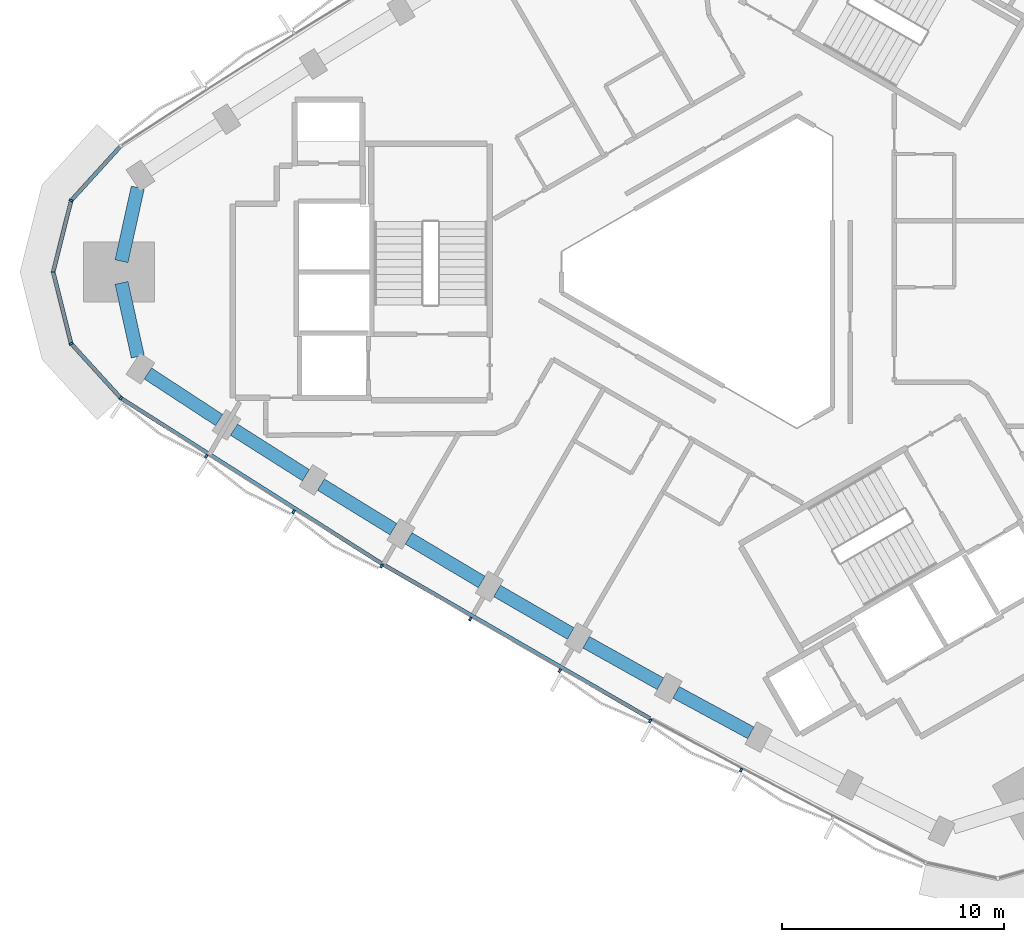
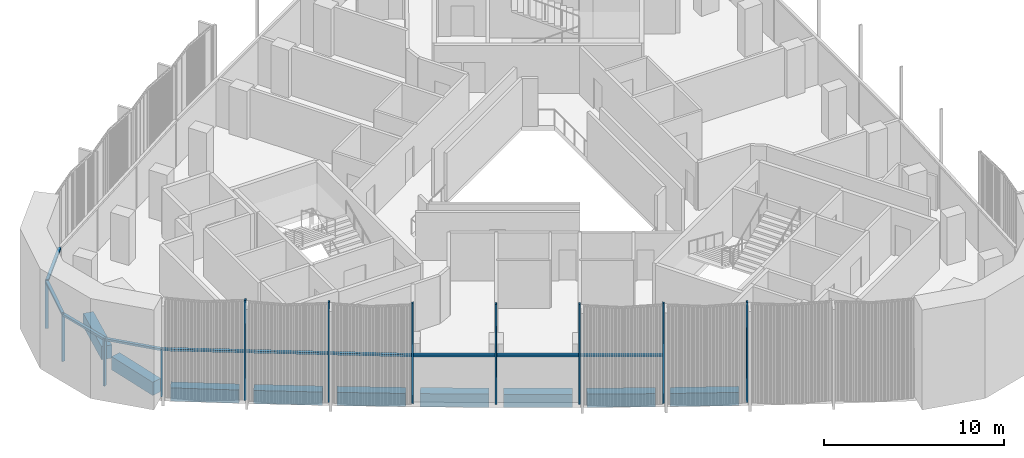
# One storey, part 2 of 13: 17 members, 9 beams, 2 elements without a shape of their own.
"""IFC4 building model written with IfcOpenShell, lengths in metres."""

from ifc_helpers import new_model, si_unit, direction, frame, origin, origin_2d, place, context, subcontext, project, spatial, rectangle, extrude, material, material_profile, profile_set, type_object, element, aggregate, save


model = new_model("IFC4")

# Units and contexts
model_context = context("Model", 3, precision=1e-05, world=origin(), true_north=direction((0.0, 1.0)))
body_context = subcontext(model_context, "Body", "Model", "MODEL_VIEW")
ifc_project = project(units=[si_unit("LENGTHUNIT", "METRE"), si_unit("AREAUNIT", "SQUARE_METRE"), si_unit("VOLUMEUNIT", "CUBIC_METRE"), si_unit("PLANEANGLEUNIT", "RADIAN"), si_unit("MASSUNIT", "GRAM", prefix="KILO")], contexts=[model_context])

# Site, building, storey
site_placement = place(None, origin())
site = spatial("IfcSite", under=ifc_project, at=site_placement, CompositionType="ELEMENT")
building_placement = place(site_placement, origin())
building = spatial("IfcBuilding", under=site, at=building_placement, Name="Tamra Quay Hotel Tower", CompositionType="ELEMENT")
storey_placement = place(building_placement, frame((0.0, 0.0, 204.39990234375)))
storey = spatial("IfcBuildingStorey", under=building, at=storey_placement, Name="L51", CompositionType="ELEMENT", Elevation=204.39990234375)

# Curtain wall, members
ifc_material_1 = material(Name="Aluminium 6063 anodised dark grey", Category="aluminium")
curtain_wall_type_1 = type_object("IfcCurtainWallType", Name="CW2 CURTAIN WALL", PredefinedType="NOTDEFINED", material=ifc_material_1)
curtain_wall_1_placement = place(storey_placement, origin())
curtain_wall_1 = element("IfcCurtainWall", 1, at=curtain_wall_1_placement, inside=storey, type_object=curtain_wall_type_1, Name="CW2 north-west face L51", PredefinedType="NOTDEFINED")
ifc_material_profile_1 = material_profile(ifc_material_1, rectangle(XDim=0.179931640625, YDim=0.10009765625, at=origin_2d()), Name="MULLION 100X180")
ifc_profile_set_1 = profile_set([ifc_material_profile_1], Name="Aluminium 6063 anodised dark grey")
member_type_1 = type_object("IfcMemberType", Name="MULLION CW2 Z4", PredefinedType="MULLION", material=ifc_profile_set_1)
member_1_placement = place(storey_placement, frame((-29.7216796875, 3.227294921875, 0.0), z_axis=(0.0, 0.0, 1.0), x_axis=(-0.881097509676, 0.472934645002, 0.0)))
member_1 = element("IfcMember", 2, at=member_1_placement, type_object=member_type_1, Name="CW2 mullion L51.NW.11", PredefinedType="MULLION", context=body_context, shape_type="SweptSolid", body=[
    extrude(rectangle(XDim=0.179931640625, YDim=0.10009765625, at=origin_2d()), origin(), (0.0, 0.0, 1.0), 3.25),
])
member_2_placement = place(storey_placement, frame((-30.532958984375, 0.0, 0.0), z_axis=(0.0, 0.0, 1.0), x_axis=(-1.0, 0.0, 0.0)))
member_2 = element("IfcMember", 3, at=member_2_placement, type_object=member_type_1, Name="CW2 mullion L51.NW.12", PredefinedType="MULLION", context=body_context, shape_type="SweptSolid", body=[
    extrude(rectangle(XDim=0.179931640625, YDim=0.10009765625, at=origin_2d()), origin(), (0.0, 0.0, 1.0), 3.25),
])
member_3_placement = place(storey_placement, frame((-29.7216796875, -3.227294921875, 0.0), z_axis=(0.0, 0.0, 1.0), x_axis=(-0.881097509676, -0.472934645002, 0.0)))
member_3 = element("IfcMember", 4, at=member_3_placement, type_object=member_type_1, Name="CW2 mullion L51.NW.13", PredefinedType="MULLION", context=body_context, shape_type="SweptSolid", body=[
    extrude(rectangle(XDim=0.179931640625, YDim=0.10009765625, at=origin_2d()), origin(), (0.0, 0.0, 1.0), 3.25),
])

curtain_wall_type_2 = type_object("IfcCurtainWallType", Name="CW3 CURTAIN WALL", PredefinedType="NOTDEFINED", material=ifc_material_1)
curtain_wall_2_placement = place(storey_placement, origin())
curtain_wall_2 = element("IfcCurtainWall", 5, at=curtain_wall_2_placement, inside=storey, type_object=curtain_wall_type_2, Name="CW3 south-west face L51", PredefinedType="NOTDEFINED")
ifc_material_profile_2 = material_profile(ifc_material_1, rectangle(XDim=0.179931640625, YDim=0.10009765625, at=origin_2d()), Name="MULLION 100X180")
ifc_profile_set_2 = profile_set([ifc_material_profile_2], Name="Aluminium 6063 anodised dark grey")
member_type_2 = type_object("IfcMemberType", Name="MULLION CW3 Z4", PredefinedType="MULLION", material=ifc_profile_set_2)
member_4_placement = place(storey_placement, frame((-27.48046875, -5.687255859375, 0.0), z_axis=(0.0, 0.0, 1.0), x_axis=(-0.648381346761, -0.7613157224, 0.0)))
member_4 = element("IfcMember", 6, at=member_4_placement, type_object=member_type_2, Name="CW3 mullion L51.SW.1", PredefinedType="MULLION", context=body_context, shape_type="SweptSolid", body=[
    extrude(rectangle(XDim=0.179931640625, YDim=0.10009765625, at=origin_2d()), origin(), (0.0, 0.0, 1.0), 3.25),
])
member_5_placement = place(storey_placement, frame((-23.629150390625, -8.3125, 0.0), z_axis=(0.0, 0.0, 1.0), x_axis=(-0.541421874538, -0.840751065282, 0.0)))
member_5 = element("IfcMember", 7, at=member_5_placement, type_object=member_type_2, Name="CW3 mullion L51.SW.2", PredefinedType="MULLION", context=body_context, shape_type="SweptSolid", body=[
    extrude(rectangle(XDim=0.179931640625, YDim=0.10009765625, at=origin_2d()), origin(), (0.0, 0.0, 1.0), 6.800048828125),
])
member_6_placement = place(storey_placement, frame((-19.69287109375, -10.80908203125, 0.0), z_axis=(0.0, 0.0, 1.0), x_axis=(-0.52973095248, -0.848165737332, 0.0)))
member_6 = element("IfcMember", 8, at=member_6_placement, type_object=member_type_2, Name="CW3 mullion L51.SW.3", PredefinedType="MULLION", context=body_context, shape_type="SweptSolid", body=[
    extrude(rectangle(XDim=0.179931640625, YDim=0.10009765625, at=origin_2d()), origin(), (0.0, 0.0, 1.0), 6.800048828125),
])
member_7_placement = place(storey_placement, frame((-15.72314453125, -13.25048828125, 0.0), z_axis=(0.0, 0.0, 1.0), x_axis=(-0.517922563187, -0.855427506304, 0.0)))
member_7 = element("IfcMember", 9, at=member_7_placement, type_object=member_type_2, Name="CW3 mullion L51.SW.4", PredefinedType="MULLION", context=body_context, shape_type="SweptSolid", body=[
    extrude(rectangle(XDim=0.179931640625, YDim=0.10009765625, at=origin_2d()), origin(), (0.0, 0.0, 1.0), 6.800048828125),
])
member_8_placement = place(storey_placement, frame((-11.718994140625, -15.636962890625, 0.0), z_axis=(0.0, 0.0, 1.0), x_axis=(-0.506000904801, -0.862532946814, 0.0)))
member_8 = element("IfcMember", 10, at=member_8_placement, type_object=member_type_2, Name="CW3 mullion L51.SW.5", PredefinedType="MULLION", context=body_context, shape_type="SweptSolid", body=[
    extrude(rectangle(XDim=0.179931640625, YDim=0.10009765625, at=origin_2d()), origin(), (0.0, 0.0, 1.0), 6.800048828125),
])
member_9_placement = place(storey_placement, frame((-7.682373046875, -17.967529296875, 0.0), z_axis=(0.0, 0.0, 1.0), x_axis=(-0.493974991142, -0.869476111303, 0.0)))
member_9 = element("IfcMember", 11, at=member_9_placement, type_object=member_type_2, Name="CW3 mullion L51.SW.6", PredefinedType="MULLION", context=body_context, shape_type="SweptSolid", body=[
    extrude(rectangle(XDim=0.179931640625, YDim=0.10009765625, at=origin_2d()), origin(), (0.0, 0.0, 1.0), 6.800048828125),
])
member_10_placement = place(storey_placement, frame((-3.613525390625, -20.24169921875, 0.0), z_axis=(0.0, 0.0, 1.0), x_axis=(-0.481860669962, -0.876247850065, 0.0)))
member_10 = element("IfcMember", 12, at=member_10_placement, type_object=member_type_2, Name="CW3 mullion L51.SW.7", PredefinedType="MULLION", context=body_context, shape_type="SweptSolid", body=[
    extrude(rectangle(XDim=0.179931640625, YDim=0.10009765625, at=origin_2d()), origin(), (0.0, 0.0, 1.0), 6.800048828125),
])
member_11_placement = place(storey_placement, frame((0.4853515625, -22.458984375, 0.0), z_axis=(0.0, 0.0, 1.0), x_axis=(-0.469667598909, -0.882843330685, 0.0)))
member_11 = element("IfcMember", 13, at=member_11_placement, type_object=member_type_2, Name="CW3 mullion L51.SW.8", PredefinedType="MULLION", context=body_context, shape_type="SweptSolid", body=[
    extrude(rectangle(XDim=0.179931640625, YDim=0.10009765625, at=origin_2d()), origin(), (0.0, 0.0, 1.0), 6.800048828125),
])

# Beams
ifc_material_2 = material(Name="Concrete M60", Category="concrete")
ifc_material_profile_3 = material_profile(ifc_material_2, rectangle(XDim=0.60009765625, YDim=0.89990234375, at=origin_2d()), Name="SPANDREL BEAM RC 600x900")
ifc_profile_set_3 = profile_set([ifc_material_profile_3], Name="Concrete M60")
beam_type = type_object("IfcBeamType", Name="SPANDREL BEAM RC 600x900", PredefinedType="SPANDREL", material=ifc_profile_set_3)
for number, where, z_axis, x_axis, name in (
    (14, (-26.716552734375, 3.811767578125, -0.7998046875), (-0.215798858353, -0.976437838643, 0.0), (0.976437838643, -0.215798858353, 0.0), "BM-SP4-020-L51"),
    (15, (-27.451171875, -0.48779296875, -0.7998046875), (0.215798858353, -0.976437838643, 0.0), (0.976437838643, 0.215798858353, 0.0), "BM-SP4-021-L51"),
):
    element("IfcBeam", number, at=place(storey_placement, frame(where, z_axis=z_axis, x_axis=x_axis)), inside=storey, type_object=beam_type, Name=name, PredefinedType="SPANDREL", context=body_context, shape_type="SweptSolid", body=[
        extrude(rectangle(XDim=0.60009765625, YDim=0.89990234375, at=origin_2d()), origin(), (0.0, 0.0, 1.0), 3.404296875),
    ])
for number, where, z_axis, x_axis, name in (
    (16, (-26.26171875, -4.573486328125, -0.7998046875), (0.836969613974, -0.547249362983, 0.0), (0.547249362983, 0.836969613974, 0.0), "BM-SP4-022-L51"),
    (17, (-22.377197265625, -7.106689453125, -0.7998046875), (0.844469978785, -0.535602889211, 0.0), (0.535602889211, 0.844469978785, 0.0), "BM-SP4-023-L51"),
):
    element("IfcBeam", number, at=place(storey_placement, frame(where, z_axis=z_axis, x_axis=x_axis)), inside=storey, type_object=beam_type, Name=name, PredefinedType="SPANDREL", context=body_context, shape_type="SweptSolid", body=[
        extrude(rectangle(XDim=0.60009765625, YDim=0.89990234375, at=origin_2d()), origin(), (0.0, 0.0, 1.0), 3.837646484375),
    ])
beam_1_placement = place(storey_placement, frame((-18.4580078125, -9.585693359375, -0.7998046875), z_axis=(0.851817714835, -0.523838315411, 0.0), x_axis=(0.523838315411, 0.851817714835, 0.0)))
element("IfcBeam", 18, at=beam_1_placement, inside=storey, type_object=beam_type, Name="BM-SP4-024-L51", PredefinedType="SPANDREL", context=body_context, shape_type="SweptSolid", body=[
    extrude(rectangle(XDim=0.60009765625, YDim=0.89990234375, at=origin_2d()), origin(), (0.0, 0.0, 1.0), 3.837890625),
])
beam_2_placement = place(storey_placement, frame((-14.50439453125, -12.010498046875, -0.7998046875), z_axis=(0.858982487636, -0.512004966708, 0.0), x_axis=(0.512004966708, 0.858982487636, 0.0)))
element("IfcBeam", 19, at=beam_2_placement, inside=storey, type_object=beam_type, Name="BM-SP4-025-L51", PredefinedType="SPANDREL", context=body_context, shape_type="SweptSolid", body=[
    extrude(rectangle(XDim=0.60009765625, YDim=0.89990234375, at=origin_2d()), origin(), (0.0, 0.0, 1.0), 3.837646484375),
])
for number, where, z_axis, x_axis, name in (
    (20, (-10.517822265625, -14.380126953125, -0.7998046875), (0.866022424722, -0.500005159851, 0.0), (0.500005159851, 0.866022424722, 0.0), "BM-SP4-026-L51"),
    (21, (-6.4990234375, -16.694091796875, -0.7998046875), (0.872890885292, -0.487915466422, 0.0), (0.487915466422, 0.872890885292, 0.0), "BM-SP4-027-L51"),
):
    element("IfcBeam", number, at=place(storey_placement, frame(where, z_axis=z_axis, x_axis=x_axis)), inside=storey, type_object=beam_type, Name=name, PredefinedType="SPANDREL", context=body_context, shape_type="SweptSolid", body=[
        extrude(rectangle(XDim=0.60009765625, YDim=0.89990234375, at=origin_2d()), origin(), (0.0, 0.0, 1.0), 3.83740234375),
    ])
beam_3_placement = place(storey_placement, frame((-2.448486328125, -18.951904296875, -0.7998046875), z_axis=(0.879589264525, -0.475733881211, 0.0), x_axis=(0.475733881211, 0.879589264525, 0.0)))
element("IfcBeam", 22, at=beam_3_placement, inside=storey, type_object=beam_type, Name="BM-SP4-028-L51", PredefinedType="SPANDREL", context=body_context, shape_type="SweptSolid", body=[
    extrude(rectangle(XDim=0.60009765625, YDim=0.89990234375, at=origin_2d()), origin(), (0.0, 0.0, 1.0), 3.838134765625),
])

# Member
ifc_material_profile_4 = material_profile(ifc_material_1, rectangle(XDim=0.179931640625, YDim=0.139892578125, at=origin_2d()), Name="TRANSOM 180X140")
ifc_profile_set_4 = profile_set([ifc_material_profile_4], Name="Aluminium 6063 anodised dark grey")
member_type_3 = type_object("IfcMemberType", Name="TRANSOM CW2 Z4", PredefinedType="USERDEFINED", material=ifc_profile_set_4)
member_12_placement = place(storey_placement, frame((-27.513916015625, 5.650146484375, 3.18017578125), z_axis=(-0.673519383869, -0.739169560759, 0.0), x_axis=(0.739169560759, -0.673519383869, 0.0)))
member_12 = element("IfcMember", 23, at=member_12_placement, type_object=member_type_3, Name="CW2 transom L51.NW.10", ObjectType="TRANSOM", PredefinedType="USERDEFINED", context=body_context, shape_type="SweptSolid", body=[
    extrude(rectangle(XDim=0.179931640625, YDim=0.139892578125, at=origin_2d()), origin(), (0.0, 0.0, 1.0), 3.22802734375),
])

member_13_placement = place(storey_placement, frame((-29.73388671875, 3.1787109375, 3.18017578125), z_axis=(-0.243799111264, -0.969825754116, 0.0), x_axis=(0.969825754116, -0.243799111264, 0.0)))
member_13 = element("IfcMember", 24, at=member_13_placement, type_object=member_type_3, Name="CW2 transom L51.NW.11", ObjectType="TRANSOM", PredefinedType="USERDEFINED", context=body_context, shape_type="SweptSolid", body=[
    extrude(rectangle(XDim=0.179931640625, YDim=0.139892578125, at=origin_2d()), origin(), (0.0, 0.0, 1.0), 3.2275390625),
])

member_14_placement = place(storey_placement, frame((-30.520751953125, -0.048583984375, 3.18017578125), z_axis=(0.243799111264, -0.969825754116, 0.0), x_axis=(0.969825754116, 0.243799111264, 0.0)))
member_14 = element("IfcMember", 25, at=member_14_placement, type_object=member_type_3, Name="CW2 transom L51.NW.12", ObjectType="TRANSOM", PredefinedType="USERDEFINED", context=body_context, shape_type="SweptSolid", body=[
    extrude(rectangle(XDim=0.179931640625, YDim=0.139892578125, at=origin_2d()), origin(), (0.0, 0.0, 1.0), 3.2275390625),
])

member_15_placement = place(storey_placement, frame((-29.68798828125, -3.26416015625, 3.18017578125), z_axis=(0.673519383869, -0.739169560759, 0.0), x_axis=(0.739169560759, 0.673519383869, 0.0)))
member_15 = element("IfcMember", 26, at=member_15_placement, type_object=member_type_3, Name="CW2 transom L51.NW.13", ObjectType="TRANSOM", PredefinedType="USERDEFINED", context=body_context, shape_type="SweptSolid", body=[
    extrude(rectangle(XDim=0.179931640625, YDim=0.139892578125, at=origin_2d()), origin(), (0.0, 0.0, 1.0), 3.22802734375),
])

aggregate(curtain_wall_1, [member_12, member_1, member_13, member_2, member_14, member_3, member_15])

ifc_material_profile_5 = material_profile(ifc_material_1, rectangle(XDim=0.179931640625, YDim=0.139892578125, at=origin_2d()), Name="TRANSOM 180X140")
ifc_profile_set_5 = profile_set([ifc_material_profile_5], Name="Aluminium 6063 anodised dark grey")
member_type_4 = type_object("IfcMemberType", Name="TRANSOM CW3 Z4", PredefinedType="USERDEFINED", material=ifc_profile_set_5)
member_16_placement = place(storey_placement, frame((-27.4384765625, -5.714599609375, 3.18017578125), z_axis=(0.844484125962, -0.535580583105, 0.0), x_axis=(0.535580583105, 0.844484125962, 0.0)))
member_16 = element("IfcMember", 27, at=member_16_placement, type_object=member_type_4, Name="CW3 transom L51.SW.1", ObjectType="TRANSOM", PredefinedType="USERDEFINED", context=body_context, shape_type="SweptSolid", body=[
    extrude(rectangle(XDim=0.179931640625, YDim=0.139892578125, at=origin_2d()), origin(), (0.0, 0.0, 1.0), 13.877685546875),
])

member_17_placement = place(storey_placement, frame((-15.633544921875, -13.198974609375, 3.18017578125), z_axis=(0.866018612845, -0.500011762068, 0.0), x_axis=(0.500011762068, 0.866018612845, 0.0)))
member_17 = element("IfcMember", 28, at=member_17_placement, type_object=member_type_4, Name="CW3 transom L51.SW.4", ObjectType="TRANSOM", PredefinedType="USERDEFINED", context=body_context, shape_type="SweptSolid", body=[
    extrude(rectangle(XDim=0.179931640625, YDim=0.139892578125, at=origin_2d()), origin(), (0.0, 0.0, 1.0), 13.879150390625),
])

aggregate(curtain_wall_2, [member_4, member_16, member_5, member_6, member_7, member_17, member_8, member_9, member_10, member_11])

save(model, "model.ifc")
